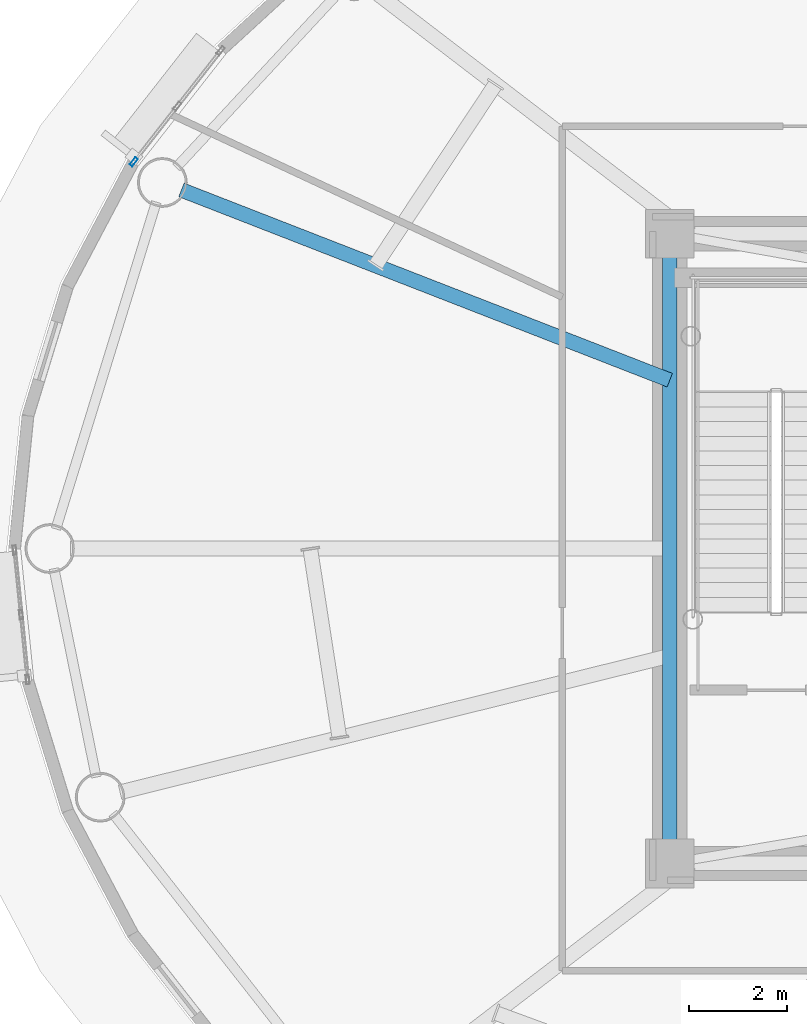
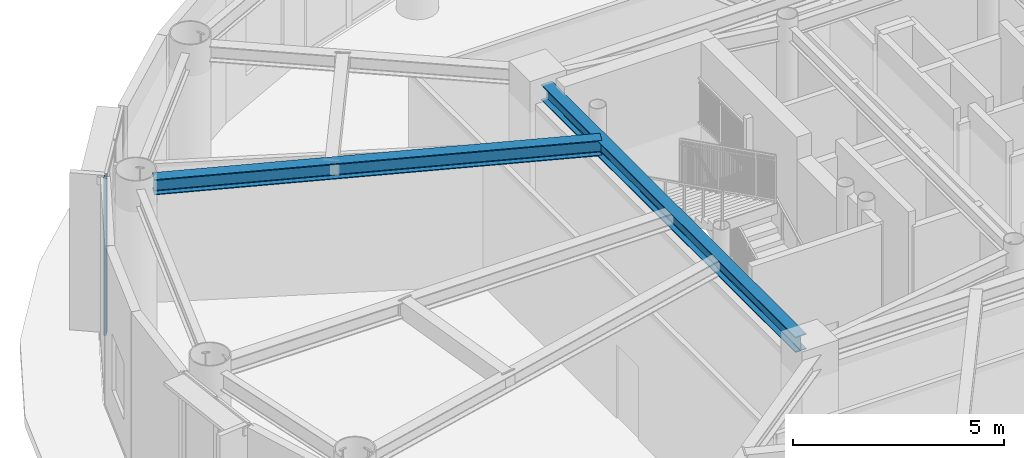
# One storey, part 11 of 32: 2 beams, 1 member, 1 element without a shape of its own.
"""IFC4 building model written with IfcOpenShell, lengths in metres."""

from ifc_helpers import new_model, si_unit, direction, frame, origin, origin_2d, place, context, subcontext, project, spatial, hollow_rectangle, i_section, extrude, source, transform, mapped, material, layer, layer_set, material_profile, profile_set, type_object, element, aggregate, save


model = new_model("IFC4")

# Units and contexts
model_context = context("Model", 3, precision=1e-05, world=origin(), true_north=direction((0.0, 1.0)))
body_context = subcontext(model_context, "Body", "Model", "MODEL_VIEW")
ifc_project = project(units=[si_unit("LENGTHUNIT", "METRE"), si_unit("AREAUNIT", "SQUARE_METRE"), si_unit("VOLUMEUNIT", "CUBIC_METRE"), si_unit("PLANEANGLEUNIT", "RADIAN"), si_unit("MASSUNIT", "GRAM", prefix="KILO")], contexts=[model_context])

# Site, building, storey
site_placement = place(None, origin())
site = spatial("IfcSite", under=ifc_project, at=site_placement, CompositionType="ELEMENT")
building_placement = place(site_placement, origin())
building = spatial("IfcBuilding", under=site, at=building_placement, Name="Linh Dai School and Residence Tower", CompositionType="ELEMENT")
storey_placement = place(building_placement, frame((0.0, 0.0, 268.199951171875)))
storey = spatial("IfcBuildingStorey", under=building, at=storey_placement, Name="L66", CompositionType="ELEMENT", Elevation=268.199951171875)

# Beams
ifc_material_1 = material(Name="Structural Steel S355JR", Category="steel")
ifc_material_profile_1 = material_profile(ifc_material_1, i_section(OverallWidth=0.300048828125, OverallDepth=0.449951171875, WebThickness=0.013916015625, FlangeThickness=0.02587890625, FilletRadius=0.027099609375, at=origin_2d()), Name="HEB 450")
ifc_profile_set_1 = profile_set([ifc_material_profile_1], Name="Structural Steel S355JR")
beam_type = type_object("IfcBeamType", Name="BM-RG45", PredefinedType="BEAM", material=ifc_profile_set_1)
beam_1_placement = place(storey_placement, frame((27.14990234375, 33.030029296875, 4.324951171875), z_axis=(0.0, -1.0, 0.0), x_axis=(1.0, 0.0, 0.0)))
element("IfcBeam", 1, at=beam_1_placement, inside=storey, type_object=beam_type, Name="L66 Core Perimeter Coupling Girder 4", PredefinedType="BEAM", context=body_context, shape_type="SweptSolid", body=[
    extrude(i_section(OverallWidth=0.300048828125, OverallDepth=0.449951171875, WebThickness=0.013916015625, FlangeThickness=0.02587890625, FilletRadius=0.027099609375, at=origin_2d()), origin(), (0.0, 0.0, 1.0), 12.06005859375),
])
beam_2_placement = place(storey_placement, frame((27.14990234375, 30.448486328125, 4.324951171875), z_axis=(-0.931760809838, 0.363072710693, 0.0), x_axis=(-0.363072710693, -0.931760809838, 0.0)))
element("IfcBeam", 2, at=beam_2_placement, inside=storey, type_object=beam_type, Name="L66 Primary Radial Floor Girder 08", PredefinedType="BEAM", context=body_context, shape_type="SweptSolid", body=[
    extrude(i_section(OverallWidth=0.300048828125, OverallDepth=0.449951171875, WebThickness=0.013916015625, FlangeThickness=0.02587890625, FilletRadius=0.027099609375, at=origin_2d()), origin(), (0.0, 0.0, 1.0), 10.7373046875),
])

# Curtain wall, member
ifc_material_2 = material(Name="Aluminium Anodised Curtain Wall", Category="aluminium")
ifc_layer = layer(ifc_material_2, 0.18994140625)
ifc_layer_set = layer_set([ifc_layer], Name="Aluminium Anodised Curtain Wall")
curtain_wall_type = type_object("IfcCurtainWallType", Name="CW-SYS-5", PredefinedType="USERDEFINED", material=ifc_layer_set)
curtain_wall_placement = place(storey_placement, origin())
curtain_wall = element("IfcCurtainWall", 3, at=curtain_wall_placement, inside=storey, type_object=curtain_wall_type, Name="L66 CW5 Curtain Wall 17", ObjectType="UNITISED CURTAIN WALL", PredefinedType="USERDEFINED")
ifc_material_3 = material(Name="Aluminium Alloy 6063-T6", Category="aluminium")
ifc_material_profile_2 = material_profile(ifc_material_3, hollow_rectangle(XDim=0.070068359375, YDim=0.18994140625, WallThickness=0.00390625, at=origin_2d()), Name="RHS 190x70x4")
ifc_profile_set_2 = profile_set([ifc_material_profile_2], Name="Aluminium Alloy 6063-T6")
member_type = type_object("IfcMemberType", Name="CW-SYS-5-MUL", PredefinedType="MULLION", material=ifc_profile_set_2)
shared_shape = source(origin(), body_context, "Body", "SweptSolid", [
    extrude(hollow_rectangle(XDim=0.070068359375, YDim=0.18994140625, WallThickness=0.00390625, at=origin_2d()), origin(), (0.0, 0.0, 1.0), 4.550048828125),
])
member_placement = place(storey_placement, frame((16.167724609375, 34.92236328125, 0.0), z_axis=(0.0, 0.0, 1.0), x_axis=(-0.78750300393, 0.616310813471, 0.0)))
member = element("IfcMember", 4, at=member_placement, type_object=member_type, Name="CW5 mullion 1", PredefinedType="MULLION", context=body_context, shape_type="MappedRepresentation", body=[
    mapped(shared_shape, transform((0.0, 0.0, 0.0), x_axis=(1.0, 0.0, 0.0), y_axis=(0.0, 1.0, 0.0), z_axis=(0.0, 0.0, 1.0), scale=1.0)),
])
aggregate(curtain_wall, [member])

save(model, "model.ifc")
